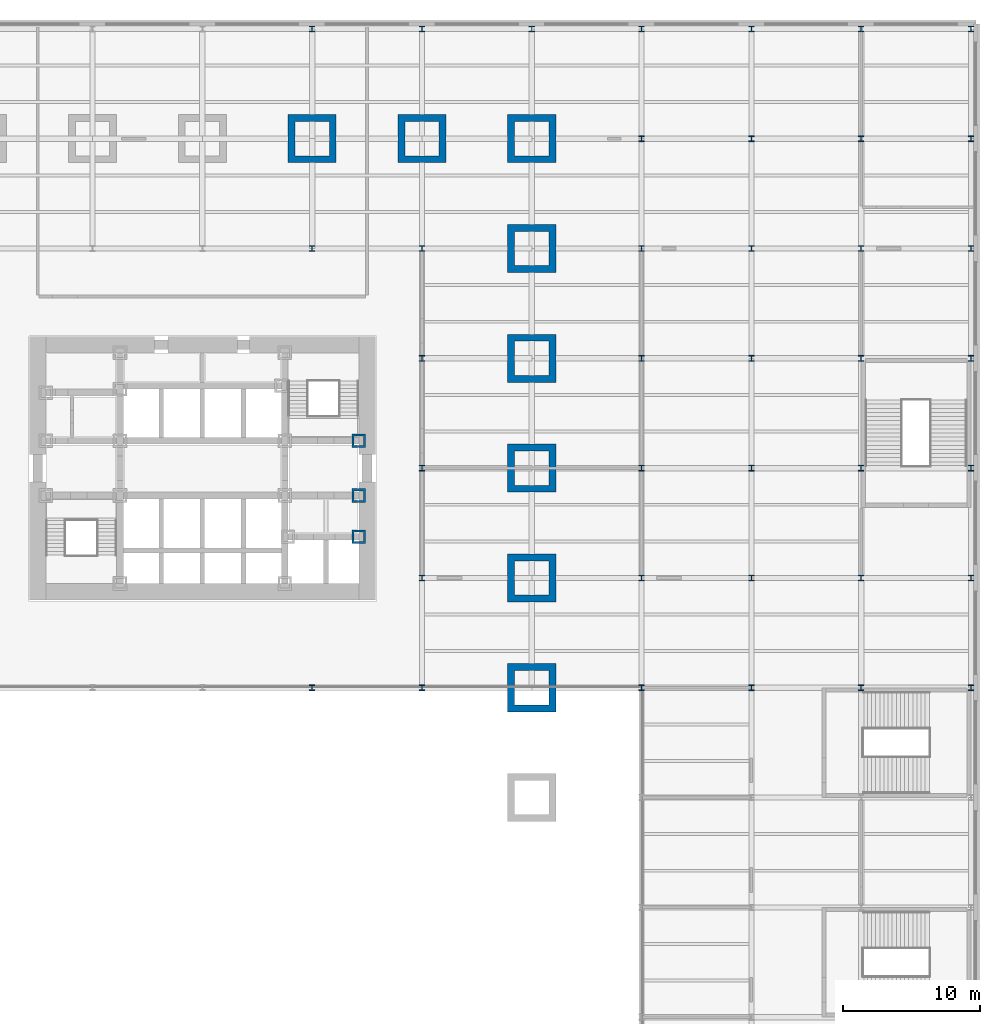
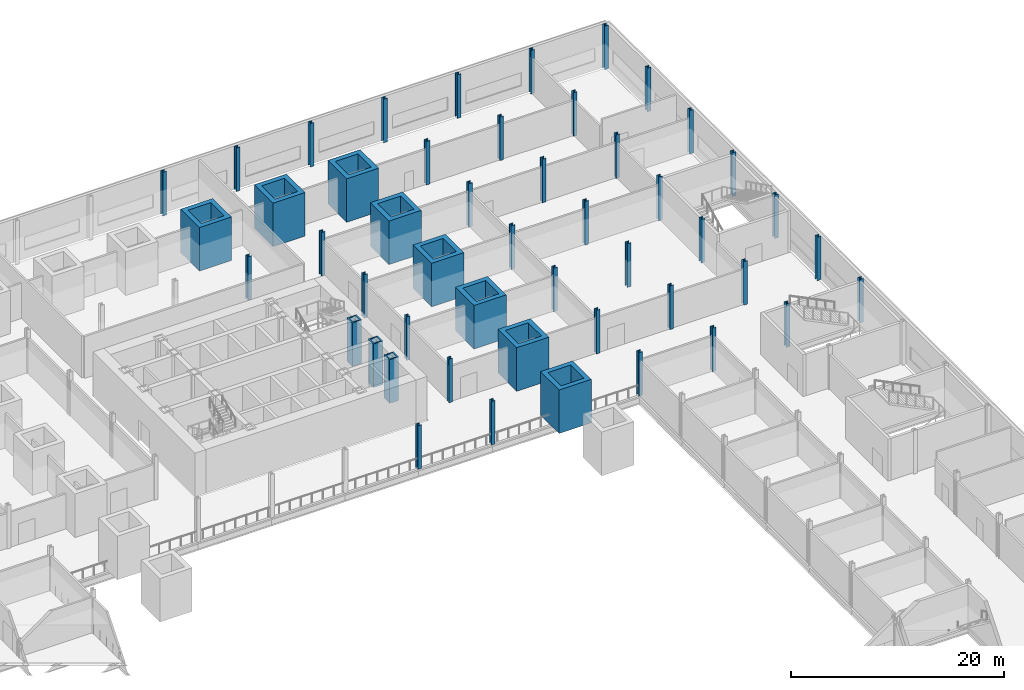
# One storey, part 6 of 22: 49 columns.
"""IFC4 building model written with IfcOpenShell, lengths in metres."""

from ifc_helpers import new_model, si_unit, direction, frame, origin, origin_2d, place, context, subcontext, project, spatial, hollow_rectangle, i_section, extrude, material, material_profile, profile_set, type_object, element, save


model = new_model("IFC4")

# Units and contexts
model_context = context("Model", 3, precision=1e-05, world=origin(), true_north=direction((0.0, 1.0)))
body_context = subcontext(model_context, "Body", "Model", "MODEL_VIEW")
ifc_project = project(units=[si_unit("LENGTHUNIT", "METRE"), si_unit("AREAUNIT", "SQUARE_METRE"), si_unit("VOLUMEUNIT", "CUBIC_METRE"), si_unit("PLANEANGLEUNIT", "RADIAN"), si_unit("MASSUNIT", "GRAM", prefix="KILO")], contexts=[model_context])

# Site, building, storey
site_placement = place(None, origin())
site = spatial("IfcSite", under=ifc_project, at=site_placement, CompositionType="ELEMENT")
building_placement = place(site_placement, origin())
building = spatial("IfcBuilding", under=site, at=building_placement, Name="Daluyong Arena Tower", CompositionType="ELEMENT")
storey_placement = place(building_placement, frame((0.0, 0.0, 9.89990234375)))
storey = spatial("IfcBuildingStorey", under=building, at=storey_placement, Name="L02", CompositionType="ELEMENT", Elevation=9.89990234375)

# Columns
ifc_material_1 = material(Name="Steel ASTM A588 Grade 50", Category="steel")
ifc_material_profile_1 = material_profile(ifc_material_1, hollow_rectangle(XDim=1.0, YDim=1.0, WallThickness=0.15, at=origin_2d()))
ifc_profile_set_1 = profile_set([ifc_material_profile_1], Name="Steel ASTM A588 Grade 50")
column_type_1 = type_object("IfcColumnType", Name="Core boundary column BX1000X150", PredefinedType="COLUMN", material=ifc_profile_set_1)
for number, where, z_axis, x_axis, name in (
    (1, (67.39990234375, 75.0, 0.0), (0.0, 0.0, 1.0), (1.0, 0.0, 0.0), "core boundary column BC1"),
    (2, (67.39990234375, 78.0, 0.0), (0.0, 0.0, 1.0), (1.0, 0.0, 0.0), "core boundary column BC1"),
    (3, (67.39990234375, 82.0, 0.0), (0.0, 0.0, 1.0), (1.0, 0.0, 0.0), "core boundary column BC1"),
):
    element("IfcColumn", number, at=place(storey_placement, frame(where, z_axis=z_axis, x_axis=x_axis)), inside=storey, type_object=column_type_1, Name=name, PredefinedType="COLUMN", context=body_context, shape_type="SweptSolid", body=[
        extrude(hollow_rectangle(XDim=1.0, YDim=1.0, WallThickness=0.15, at=origin_2d()), origin(), (0.0, 0.0, 1.0), 5.0),
    ])
ifc_material_2 = material(Name="Steel ASTM A992 Grade 50", Category="steel")
ifc_material_profile_2 = material_profile(ifc_material_2, i_section(OverallWidth=0.406494140625, OverallDepth=0.41650390625, WebThickness=0.030029296875, FlangeThickness=0.048095703125, at=origin_2d()))
ifc_profile_set_2 = profile_set([ifc_material_profile_2], Name="Steel ASTM A992 Grade 50")
column_type_2 = type_object("IfcColumnType", Name="Podium column W14X257", PredefinedType="COLUMN", material=ifc_profile_set_2)
for number, where, z_axis, x_axis, name in (
    (4, (64.0, 64.0, 0.0), (0.0, 0.0, 1.0), (1.0, 0.0, 0.0), "podium column PC2"),
    (5, (64.0, 96.0, 0.0), (0.0, 0.0, 1.0), (1.0, 0.0, 0.0), "podium column PC2"),
    (6, (64.0, 112.0, 0.0), (0.0, 0.0, 1.0), (1.0, 0.0, 0.0), "podium column PC2"),
    (7, (72.0, 64.0, 0.0), (0.0, 0.0, 1.0), (1.0, 0.0, 0.0), "podium column PC2"),
    (8, (72.0, 72.0, 0.0), (0.0, 0.0, 1.0), (1.0, 0.0, 0.0), "podium column PC2"),
    (9, (72.0, 80.0, 0.0), (0.0, 0.0, 1.0), (1.0, 0.0, 0.0), "podium column PC2"),
    (10, (72.0, 88.0, 0.0), (0.0, 0.0, 1.0), (1.0, 0.0, 0.0), "podium column PC2"),
    (11, (72.0, 96.0, 0.0), (0.0, 0.0, 1.0), (1.0, 0.0, 0.0), "podium column PC2"),
    (12, (72.0, 112.0, 0.0), (0.0, 0.0, 1.0), (1.0, 0.0, 0.0), "podium column PC2"),
    (13, (80.0, 112.0, 0.0), (0.0, 0.0, 1.0), (1.0, 0.0, 0.0), "podium column PC2"),
    (14, (88.0, 64.0, 0.0), (0.0, 0.0, 1.0), (1.0, 0.0, 0.0), "podium column PC2"),
    (15, (88.0, 72.0, 0.0), (0.0, 0.0, 1.0), (1.0, 0.0, 0.0), "podium column PC2"),
    (16, (88.0, 80.0, 0.0), (0.0, 0.0, 1.0), (1.0, 0.0, 0.0), "podium column PC2"),
    (17, (88.0, 88.0, 0.0), (0.0, 0.0, 1.0), (1.0, 0.0, 0.0), "podium column PC2"),
    (18, (88.0, 96.0, 0.0), (0.0, 0.0, 1.0), (1.0, 0.0, 0.0), "podium column PC2"),
    (19, (88.0, 104.0, 0.0), (0.0, 0.0, 1.0), (1.0, 0.0, 0.0), "podium column PC2"),
    (20, (88.0, 112.0, 0.0), (0.0, 0.0, 1.0), (1.0, 0.0, 0.0), "podium column PC2"),
    (21, (96.0, 64.0, 0.0), (0.0, 0.0, 1.0), (1.0, 0.0, 0.0), "podium column PC2"),
    (22, (96.0, 72.0, 0.0), (0.0, 0.0, 1.0), (1.0, 0.0, 0.0), "podium column PC2"),
    (23, (96.0, 80.0, 0.0), (0.0, 0.0, 1.0), (1.0, 0.0, 0.0), "podium column PC2"),
    (24, (96.0, 88.0, 0.0), (0.0, 0.0, 1.0), (1.0, 0.0, 0.0), "podium column PC2"),
    (25, (96.0, 96.0, 0.0), (0.0, 0.0, 1.0), (1.0, 0.0, 0.0), "podium column PC2"),
    (26, (96.0, 104.0, 0.0), (0.0, 0.0, 1.0), (1.0, 0.0, 0.0), "podium column PC2"),
    (27, (96.0, 112.0, 0.0), (0.0, 0.0, 1.0), (1.0, 0.0, 0.0), "podium column PC2"),
    (28, (104.0, 64.0, 0.0), (0.0, 0.0, 1.0), (1.0, 0.0, 0.0), "podium column PC2"),
    (29, (104.0, 72.0, 0.0), (0.0, 0.0, 1.0), (1.0, 0.0, 0.0), "podium column PC2"),
    (30, (104.0, 80.0, 0.0), (0.0, 0.0, 1.0), (1.0, 0.0, 0.0), "podium column PC2"),
    (31, (104.0, 88.0, 0.0), (0.0, 0.0, 1.0), (1.0, 0.0, 0.0), "podium column PC2"),
    (32, (104.0, 96.0, 0.0), (0.0, 0.0, 1.0), (1.0, 0.0, 0.0), "podium column PC2"),
    (33, (104.0, 104.0, 0.0), (0.0, 0.0, 1.0), (1.0, 0.0, 0.0), "podium column PC2"),
    (34, (104.0, 112.0, 0.0), (0.0, 0.0, 1.0), (1.0, 0.0, 0.0), "podium column PC2"),
    (35, (112.0, 64.0, 0.0), (0.0, 0.0, 1.0), (1.0, 0.0, 0.0), "podium column PC2"),
    (36, (112.0, 72.0, 0.0), (0.0, 0.0, 1.0), (1.0, 0.0, 0.0), "podium column PC2"),
    (37, (112.0, 80.0, 0.0), (0.0, 0.0, 1.0), (1.0, 0.0, 0.0), "podium column PC2"),
    (38, (112.0, 88.0, 0.0), (0.0, 0.0, 1.0), (1.0, 0.0, 0.0), "podium column PC2"),
    (39, (112.0, 96.0, 0.0), (0.0, 0.0, 1.0), (1.0, 0.0, 0.0), "podium column PC2"),
    (40, (112.0, 104.0, 0.0), (0.0, 0.0, 1.0), (1.0, 0.0, 0.0), "podium column PC2"),
    (41, (112.0, 112.0, 0.0), (0.0, 0.0, 1.0), (1.0, 0.0, 0.0), "podium column PC2"),
):
    element("IfcColumn", number, at=place(storey_placement, frame(where, z_axis=z_axis, x_axis=x_axis)), inside=storey, type_object=column_type_2, Name=name, PredefinedType="COLUMN", context=body_context, shape_type="SweptSolid", body=[
        extrude(i_section(OverallWidth=0.406494140625, OverallDepth=0.41650390625, WebThickness=0.030029296875, FlangeThickness=0.048095703125, at=origin_2d()), origin(), (0.0, 0.0, 1.0), 5.0),
    ])
ifc_material_3 = material(Name="Steel ASTM A36", Category="steel")
ifc_material_profile_3 = material_profile(ifc_material_3, hollow_rectangle(XDim=3.5, YDim=3.5, WallThickness=0.5, at=origin_2d()))
ifc_profile_set_3 = profile_set([ifc_material_profile_3], Name="Steel ASTM A36")
column_type_3 = type_object("IfcColumnType", Name="Podium megacolumn BX3500X500", PredefinedType="COLUMN", material=ifc_profile_set_3)
for number, where, z_axis, x_axis, name in (
    (42, (64.0, 104.0, 0.0), (0.0, 0.0, 1.0), (1.0, 0.0, 0.0), "podium megacolumn MC1"),
    (43, (72.0, 104.0, 0.0), (0.0, 0.0, 1.0), (1.0, 0.0, 0.0), "podium megacolumn MC1"),
    (44, (80.0, 64.0, 0.0), (0.0, 0.0, 1.0), (1.0, 0.0, 0.0), "podium megacolumn MC1"),
    (45, (80.0, 72.0, 0.0), (0.0, 0.0, 1.0), (1.0, 0.0, 0.0), "podium megacolumn MC1"),
    (46, (80.0, 80.0, 0.0), (0.0, 0.0, 1.0), (1.0, 0.0, 0.0), "podium megacolumn MC1"),
    (47, (80.0, 88.0, 0.0), (0.0, 0.0, 1.0), (1.0, 0.0, 0.0), "podium megacolumn MC1"),
    (48, (80.0, 96.0, 0.0), (0.0, 0.0, 1.0), (1.0, 0.0, 0.0), "podium megacolumn MC1"),
    (49, (80.0, 104.0, 0.0), (0.0, 0.0, 1.0), (1.0, 0.0, 0.0), "podium megacolumn MC1"),
):
    element("IfcColumn", number, at=place(storey_placement, frame(where, z_axis=z_axis, x_axis=x_axis)), inside=storey, type_object=column_type_3, Name=name, PredefinedType="COLUMN", context=body_context, shape_type="SweptSolid", body=[
        extrude(hollow_rectangle(XDim=3.5, YDim=3.5, WallThickness=0.5, at=origin_2d()), origin(), (0.0, 0.0, 1.0), 5.0),
    ])

save(model, "model.ifc")
